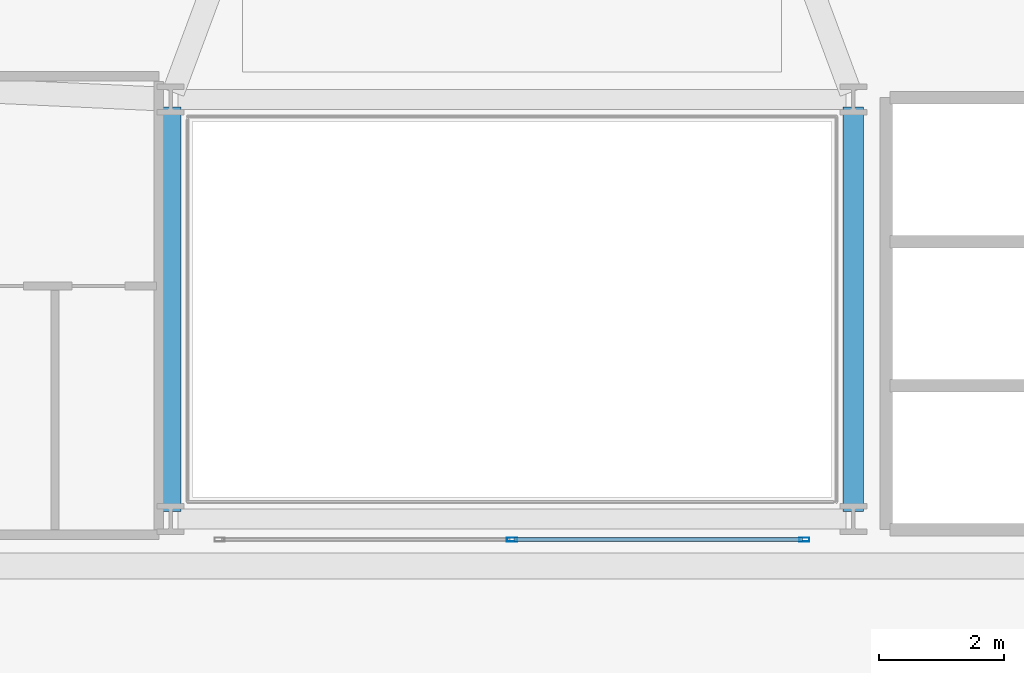
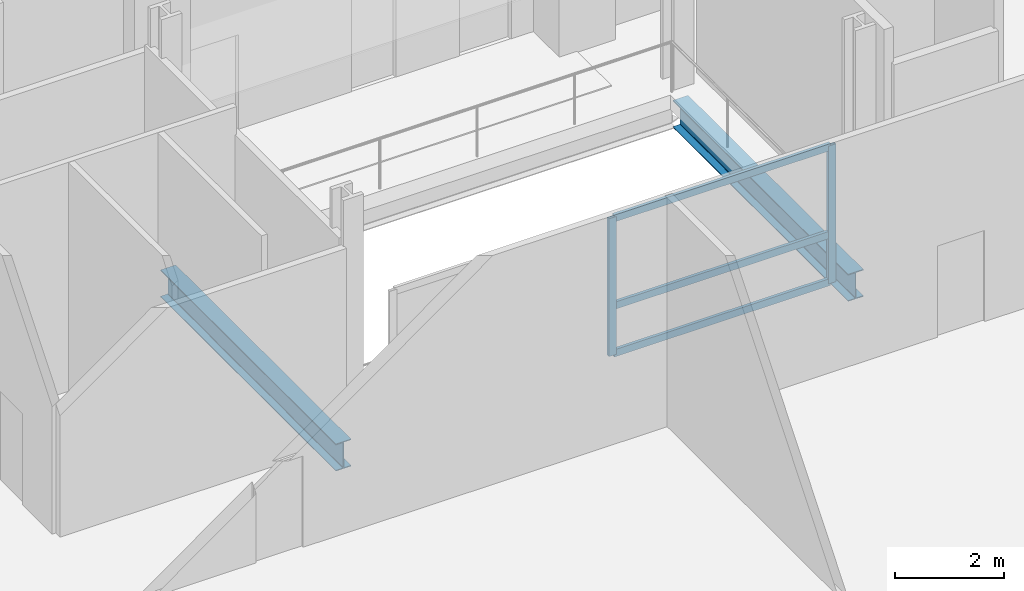
# One storey, part 12 of 31: 5 members, 2 beams, 1 element without a shape of its own.
"""IFC4 building model written with IfcOpenShell, lengths in metres."""

from ifc_helpers import new_model, si_unit, direction, frame, origin, origin_2d, place, context, subcontext, project, spatial, hollow_rectangle, i_section, extrude, material, layer, layer_set, material_profile, profile_set, type_object, element, aggregate, save


model = new_model("IFC4")

# Units and contexts
model_context = context("Model", 3, precision=1e-05, world=origin(), true_north=direction((0.0, 1.0)))
body_context = subcontext(model_context, "Body", "Model", "MODEL_VIEW")
ifc_project = project(units=[si_unit("LENGTHUNIT", "METRE"), si_unit("AREAUNIT", "SQUARE_METRE"), si_unit("VOLUMEUNIT", "CUBIC_METRE"), si_unit("PLANEANGLEUNIT", "RADIAN"), si_unit("MASSUNIT", "GRAM", prefix="KILO")], contexts=[model_context])

# Site, building, storey
site_placement = place(None, origin())
site = spatial("IfcSite", under=ifc_project, at=site_placement, CompositionType="ELEMENT")
building_placement = place(site_placement, origin())
building = spatial("IfcBuilding", under=site, at=building_placement, Name="Varnelok Gate Tower", CompositionType="ELEMENT")
storey_placement = place(building_placement, frame((0.0, 0.0, 21.60009765625)))
storey = spatial("IfcBuildingStorey", under=building, at=storey_placement, Name="L04", CompositionType="ELEMENT", Elevation=21.60009765625)

# Beams
ifc_material_1 = material(Name="Structural Steel ASTM A992 Grade 50", Category="steel")
ifc_material_profile_1 = material_profile(ifc_material_1, i_section(OverallWidth=0.323974609375, OverallDepth=0.611083984375, WebThickness=0.0126953125, FlangeThickness=0.01904296875, FilletRadius=0.01806640625, at=origin_2d()), Name="W24X104")
ifc_profile_set_1 = profile_set([ifc_material_profile_1], Name="Structural Steel ASTM A992 Grade 50")
beam_type = type_object("IfcBeamType", Name="BM-SPN-W24X104", PredefinedType="SPANDREL", material=ifc_profile_set_1)
for number, where, z_axis, x_axis, name in (
    (1, (33.75, 19.669921875, -0.62548828125), (0.0, 1.0, 0.0), (-1.0, 0.0, 0.0), "L04 Core-Atrium Spine Beam 10"),
    (2, (44.64990234375, 19.669921875, -0.62548828125), (0.0, 1.0, 0.0), (-1.0, 0.0, 0.0), "L04 Core-Atrium Spine Beam 11"),
):
    element("IfcBeam", number, at=place(storey_placement, frame(where, z_axis=z_axis, x_axis=x_axis)), inside=storey, type_object=beam_type, Name=name, PredefinedType="SPANDREL", context=body_context, shape_type="SweptSolid", body=[
        extrude(i_section(OverallWidth=0.323974609375, OverallDepth=0.611083984375, WebThickness=0.0126953125, FlangeThickness=0.01904296875, FilletRadius=0.01806640625, at=origin_2d()), origin(), (0.0, 0.0, 1.0), 6.4599609375),
    ])

# Curtain wall, members
ifc_material_2 = material(Name="Anodized Aluminum Alloy 6063-T6", Category="aluminium")
ifc_layer = layer(ifc_material_2, 0.179931640625)
ifc_layer_set = layer_set([ifc_layer], Name="Anodized Aluminum Alloy 6063-T6")
curtain_wall_type = type_object("IfcCurtainWallType", Name="CW2-ATRIUM-GLAZING", PredefinedType="USERDEFINED", material=ifc_layer_set)
curtain_wall_placement = place(storey_placement, origin())
curtain_wall = element("IfcCurtainWall", 3, at=curtain_wall_placement, inside=storey, type_object=curtain_wall_type, Name="L04 Internal Atrium Gallery Curtain Wall", ObjectType="UNITISED CURTAIN WALL", PredefinedType="USERDEFINED")
ifc_material_profile_2 = material_profile(ifc_material_2, hollow_rectangle(XDim=0.06494140625, YDim=0.159912109375, WallThickness=0.00390625, at=origin_2d()), Name="ALU160X65X4")
ifc_profile_set_2 = profile_set([ifc_material_profile_2], Name="Anodized Aluminum Alloy 6063-T6")
member_type_1 = type_object("IfcMemberType", Name="CW-MULL-160", PredefinedType="MULLION", material=ifc_profile_set_2)
member_1_placement = place(storey_placement, frame((39.199951171875, 19.219970703125, 0.0), z_axis=(0.0, 0.0, 1.0), x_axis=(0.0, 1.0, 0.0)))
member_1 = element("IfcMember", 4, at=member_1_placement, type_object=member_type_1, Name="CW2 mullion 2", PredefinedType="MULLION", context=body_context, shape_type="SweptSolid", body=[
    extrude(hollow_rectangle(XDim=0.06494140625, YDim=0.159912109375, WallThickness=0.00390625, at=origin_2d()), origin(), (0.0, 0.0, 1.0), 3.099853515625),
])
member_2_placement = place(storey_placement, frame((43.867431640625, 19.219970703125, 0.0), z_axis=(0.0, 0.0, 1.0), x_axis=(0.0, 1.0, 0.0)))
member_2 = element("IfcMember", 5, at=member_2_placement, type_object=member_type_1, Name="CW2 mullion 3", PredefinedType="MULLION", context=body_context, shape_type="SweptSolid", body=[
    extrude(hollow_rectangle(XDim=0.06494140625, YDim=0.159912109375, WallThickness=0.00390625, at=origin_2d()), origin(), (0.0, 0.0, 1.0), 3.099853515625),
])
ifc_material_profile_3 = material_profile(ifc_material_2, hollow_rectangle(XDim=0.06494140625, YDim=0.159912109375, WallThickness=0.00390625, at=origin_2d()), Name="ALU160X65X4")
ifc_profile_set_3 = profile_set([ifc_material_profile_3], Name="Anodized Aluminum Alloy 6063-T6")
member_type_2 = type_object("IfcMemberType", Name="CW-TRAN-160", PredefinedType="USERDEFINED", material=ifc_profile_set_3)
member_3_placement = place(storey_placement, frame((39.232421875, 19.219970703125, 0.032470703125), z_axis=(1.0, 0.0, 0.0), x_axis=(0.0, 1.0, 0.0)))
member_3 = element("IfcMember", 6, at=member_3_placement, type_object=member_type_2, Name="CW2 transom 2.1", ObjectType="TRANSOM", PredefinedType="USERDEFINED", context=body_context, shape_type="SweptSolid", body=[
    extrude(hollow_rectangle(XDim=0.06494140625, YDim=0.159912109375, WallThickness=0.00390625, at=origin_2d()), origin(), (0.0, 0.0, 1.0), 4.6025390625),
])
member_4_placement = place(storey_placement, frame((39.232421875, 19.219970703125, 1.099853515625), z_axis=(1.0, 0.0, 0.0), x_axis=(0.0, 1.0, 0.0)))
member_4 = element("IfcMember", 7, at=member_4_placement, type_object=member_type_2, Name="CW2 transom 2.2", ObjectType="TRANSOM", PredefinedType="USERDEFINED", context=body_context, shape_type="SweptSolid", body=[
    extrude(hollow_rectangle(XDim=0.06494140625, YDim=0.159912109375, WallThickness=0.00390625, at=origin_2d()), origin(), (0.0, 0.0, 1.0), 4.6025390625),
])
member_5_placement = place(storey_placement, frame((39.232421875, 19.219970703125, 3.0673828125), z_axis=(1.0, 0.0, 0.0), x_axis=(0.0, 1.0, 0.0)))
member_5 = element("IfcMember", 8, at=member_5_placement, type_object=member_type_2, Name="CW2 transom 2.3", ObjectType="TRANSOM", PredefinedType="USERDEFINED", context=body_context, shape_type="SweptSolid", body=[
    extrude(hollow_rectangle(XDim=0.06494140625, YDim=0.159912109375, WallThickness=0.00390625, at=origin_2d()), origin(), (0.0, 0.0, 1.0), 4.6025390625),
])
aggregate(curtain_wall, [member_1, member_2, member_3, member_4, member_5])

save(model, "model.ifc")
